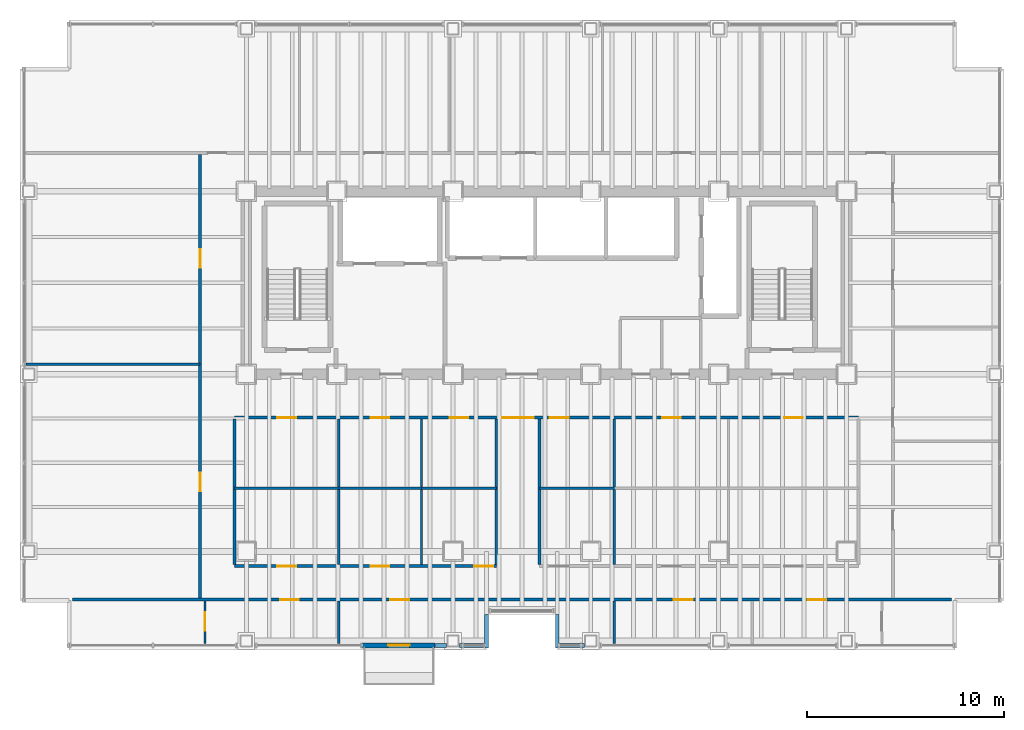
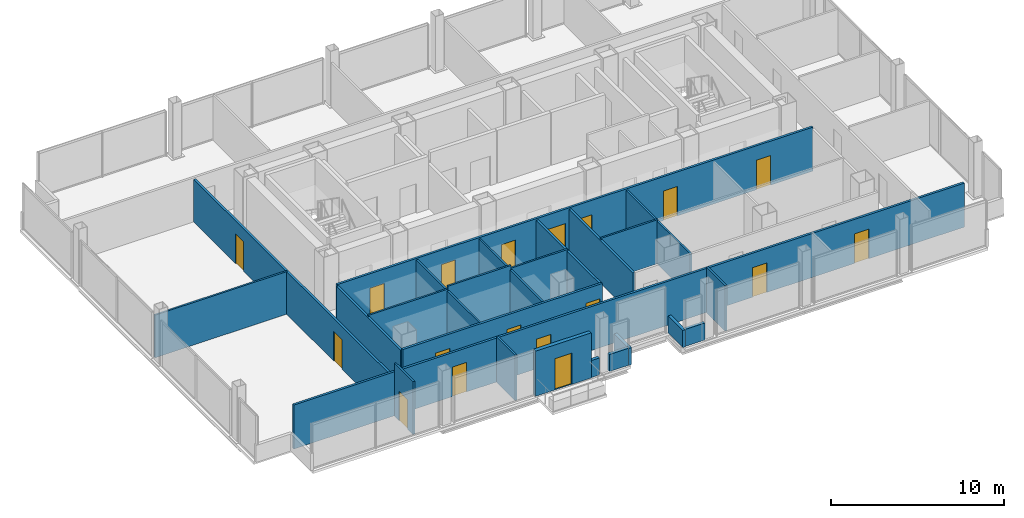
# One storey, part 18 of 21: 24 walls, 18 doors, 18 openings.
"""IFC4 building model written with IfcOpenShell, lengths in metres."""

from ifc_helpers import new_model, si_unit, direction, frame, frame_2d, origin, place, context, subcontext, project, spatial, rectangle, extrude, material, layer, layer_set, type_object, element, fill, save


model = new_model("IFC4")

# Units and contexts
model_context = context("Model", 3, precision=1e-05, world=origin(), true_north=direction((0.0, 1.0)))
body_context = subcontext(model_context, "Body", "Model", "MODEL_VIEW")
ifc_project = project(units=[si_unit("LENGTHUNIT", "METRE"), si_unit("AREAUNIT", "SQUARE_METRE"), si_unit("VOLUMEUNIT", "CUBIC_METRE"), si_unit("PLANEANGLEUNIT", "RADIAN"), si_unit("MASSUNIT", "GRAM", prefix="KILO")], contexts=[model_context])

# Site, building, storey
site_placement = place(None, origin())
site = spatial("IfcSite", under=ifc_project, at=site_placement, CompositionType="ELEMENT")
building_placement = place(site_placement, origin())
building = spatial("IfcBuilding", under=site, at=building_placement, Name="Noeulbin Bourse Tower", CompositionType="ELEMENT")
storey_placement = place(building_placement, frame((0.0, 0.0, 46.0)))
storey = spatial("IfcBuildingStorey", under=building, at=storey_placement, Name="L11", CompositionType="ELEMENT", Elevation=46.0)

# Wall, opening, door
ifc_material_1 = material(Name="Precast Concrete C40/50", Category="concrete")
ifc_layer_1 = layer(ifc_material_1, 0.25)
ifc_layer_set_1 = layer_set([ifc_layer_1], Name="Precast Concrete C40/50")
wall_type_1 = type_object("IfcWallType", Name="WAL-EXT-250", PredefinedType="STANDARD", material=ifc_layer_set_1)
wall_1_placement = place(storey_placement, frame((19.39990234375, 15.219970703125, 0.0), z_axis=(0.0, 0.0, 1.0), x_axis=(1.0, 0.0, 0.0)))
wall_1 = element("IfcWall", 1, at=wall_1_placement, inside=storey, type_object=wall_type_1, Name="Balcony Threshold Wall L11", PredefinedType="STANDARD", context=body_context, shape_type="SweptSolid", body=[
    extrude(rectangle(XDim=3.7001953125, YDim=0.25, at=frame_2d((1.85009765625, 0.0))), origin(), (0.0, 0.0, 1.0), 3.179931640625),
])
opening_1_placement = place(wall_1_placement, frame((1.300048828125, 0.0, 0.0)))
opening_1 = element("IfcOpeningElement", 2, at=opening_1_placement, cuts=wall_1, Name="Opening BD-11", PredefinedType="OPENING", context=body_context, shape_type="SweptSolid", body=[
    extrude(rectangle(XDim=1.10009765625, YDim=2.199951171875, at=frame_2d((0.550048828125, 1.10009765625))), frame((0.0, 0.135009765625, 0.0), z_axis=(0.0, -1.0, 0.0), x_axis=(1.0, 0.0, 0.0)), (0.0, 0.0, 1.0), 0.27001953125),
])
ifc_material_2 = material(Name="Thermally Broken Aluminium Framed Glass", Category="aluminium")
door_type_1 = type_object("IfcDoorType", Name="DR-BAL-1100", OperationType="SINGLE_SWING_LEFT", PredefinedType="DOOR", material=ifc_material_2)
door_1_placement = place(opening_1_placement, origin())
door_1 = element("IfcDoor", 3, at=door_1_placement, inside=storey, type_object=door_type_1, Name="Tree-Balcony Access Door BD-L11", OperationType="SINGLE_SWING_LEFT", OverallHeight=2.199951171875, OverallWidth=1.10009765625, PredefinedType="DOOR", context=body_context, shape_type="SweptSolid", body=[
    extrude(rectangle(XDim=1.10009765625, YDim=2.199951171875, at=frame_2d((0.550048828125, 1.10009765625))), frame((0.0, 0.02490234375, 0.0), z_axis=(0.0, -1.0, 0.0), x_axis=(1.0, 0.0, 0.0)), (0.0, 0.0, 1.0), 0.050048828125),
])
fill(opening_1, door_1)

# Walls
ifc_material_3 = material(Name="Concrete C40/50", Category="concrete")
ifc_layer_2 = layer(ifc_material_3, 0.199951171875)
ifc_layer_set_2 = layer_set([ifc_layer_2], Name="Concrete C40/50")
wall_type_2 = type_object("IfcWallType", Name="WAL-PAR-200", PredefinedType="PARAPET", material=ifc_layer_set_2)
wall_2_placement = place(storey_placement, frame((23.10009765625, 15.219970703125, 0.0), z_axis=(0.0, 0.0, 1.0), x_axis=(1.0, 0.0, 0.0)))
element("IfcWall", 4, at=wall_2_placement, inside=storey, type_object=wall_type_2, Name="Perimeter Pier Spandrel Parapet L11-S1", PredefinedType="PARAPET", context=body_context, shape_type="SweptSolid", body=[
    extrude(rectangle(XDim=0.579833984375, YDim=0.199951171875, at=frame_2d((0.2900390625, 0.0))), origin(), (0.0, 0.0, 1.0), 1.199951171875),
])
for number, where, z_axis, x_axis, name in (
    (5, (24.320068359375, 15.219970703125, 0.0), (0.0, 0.0, 1.0), (1.0, 0.0, 0.0), "Perimeter Pier Spandrel Parapet L11-S2"),
    (6, (29.35009765625, 15.219970703125, 0.0), (0.0, 0.0, 1.0), (1.0, 0.0, 0.0), "Perimeter Pier Spandrel Parapet L11-S3"),
):
    element("IfcWall", number, at=place(storey_placement, frame(where, z_axis=z_axis, x_axis=x_axis)), inside=storey, type_object=wall_type_2, Name=name, PredefinedType="PARAPET", context=body_context, shape_type="SweptSolid", body=[
        extrude(rectangle(XDim=1.329833984375, YDim=0.199951171875, at=frame_2d((0.6650390625, 0.0))), origin(), (0.0, 0.0, 1.0), 1.199951171875),
    ])
for number, where, z_axis, x_axis, name in (
    (7, (25.699951171875, 15.10009765625, 0.0), (0.0, 0.0, 1.0), (0.0, 1.0, 0.0), "Sky-Garden Recess Parapet L11-W"),
    (8, (29.300048828125, 16.800048828125, 0.0), (0.0, 0.0, 1.0), (0.0, -1.0, 0.0), "Sky-Garden Recess Parapet L11-E"),
):
    element("IfcWall", number, at=place(storey_placement, frame(where, z_axis=z_axis, x_axis=x_axis)), inside=storey, type_object=wall_type_2, Name=name, PredefinedType="PARAPET", context=body_context, shape_type="SweptSolid", body=[
        extrude(rectangle(XDim=1.699951171875, YDim=0.199951171875, at=frame_2d((0.85009765625, 0.0))), origin(), (0.0, 0.0, 1.0), 1.199951171875),
    ])
ifc_material_4 = material(Name="Steel Stud Gypsum Partition", Category="steel")
ifc_layer_3 = layer(ifc_material_4, 0.1201171875)
ifc_layer_set_3 = layer_set([ifc_layer_3], Name="Steel Stud Gypsum Partition")
wall_type_3 = type_object("IfcWallType", Name="WAL-PRT-120", PredefinedType="PARTITIONING", material=ifc_layer_set_3)
wall_3_placement = place(storey_placement, frame((12.89990234375, 23.199951171875, 0.0), z_axis=(0.0, 0.0, 1.0), x_axis=(1.0, 0.0, 0.0)))
element("IfcWall", 9, at=wall_3_placement, inside=storey, type_object=wall_type_3, Name="Interior Partition Wall L11-07", PredefinedType="PARTITIONING", context=body_context, shape_type="SweptSolid", body=[
    extrude(rectangle(XDim=5.300048828125, YDim=0.1201171875, at=frame_2d((2.64990234375, 0.0))), origin(), (0.0, 0.0, 1.0), 3.10009765625),
])
wall_4_placement = place(storey_placement, frame((18.199951171875, 23.199951171875, 0.0), z_axis=(0.0, 0.0, 1.0), x_axis=(1.0, 0.0, 0.0)))
element("IfcWall", 10, at=wall_4_placement, inside=storey, type_object=wall_type_3, Name="Interior Partition Wall L11-08", PredefinedType="PARTITIONING", context=body_context, shape_type="SweptSolid", body=[
    extrude(rectangle(XDim=4.199951171875, YDim=0.1201171875, at=frame_2d((2.10009765625, 0.0))), origin(), (0.0, 0.0, 1.0), 3.300048828125),
])
for number, where, z_axis, x_axis, name in (
    (11, (22.39990234375, 23.199951171875, 0.0), (0.0, 0.0, 1.0), (1.0, 0.0, 0.0), "Interior Partition Wall L11-09"),
    (12, (28.39990234375, 23.199951171875, 0.0), (0.0, 0.0, 1.0), (1.0, 0.0, 0.0), "Interior Partition Wall L11-10"),
):
    element("IfcWall", number, at=place(storey_placement, frame(where, z_axis=z_axis, x_axis=x_axis)), inside=storey, type_object=wall_type_3, Name=name, PredefinedType="PARTITIONING", context=body_context, shape_type="SweptSolid", body=[
        extrude(rectangle(XDim=3.800048828125, YDim=0.1201171875, at=frame_2d((1.89990234375, 0.0))), origin(), (0.0, 0.0, 1.0), 3.10009765625),
    ])
wall_5_placement = place(storey_placement, frame((2.31005859375, 29.5, 0.0), z_axis=(0.0, 0.0, 1.0), x_axis=(1.0, 0.0, 0.0)))
element("IfcWall", 13, at=wall_5_placement, inside=storey, type_object=wall_type_3, Name="Interior Partition Wall L11-13", PredefinedType="PARTITIONING", context=body_context, shape_type="SweptSolid", body=[
    extrude(rectangle(XDim=8.83984375, YDim=0.1201171875, at=frame_2d((4.419921875, 0.0))), origin(), (0.0, 0.0, 1.0), 3.0),
])

# Wall, opening, door
wall_6_placement = place(storey_placement, frame((11.39990234375, 15.31005859375, 0.0), z_axis=(0.0, 0.0, 1.0), x_axis=(0.0, 1.0, 0.0)))
wall_6 = element("IfcWall", 14, at=wall_6_placement, inside=storey, type_object=wall_type_3, Name="Interior Partition Wall L11-30", PredefinedType="PARTITIONING", context=body_context, shape_type="SweptSolid", body=[
    extrude(rectangle(XDim=2.155029296875, YDim=0.1201171875, at=frame_2d((1.07763671875, 0.0))), origin(), (0.0, 0.0, 1.0), 3.719970703125),
])
opening_2_placement = place(wall_6_placement, frame((0.64501953125, 0.0, 0.0)))
opening_2 = element("IfcOpeningElement", 15, at=opening_2_placement, cuts=wall_6, Name="Opening ID-09", PredefinedType="OPENING", context=body_context, shape_type="SweptSolid", body=[
    extrude(rectangle(XDim=0.949951171875, YDim=2.080078125, at=frame_2d((0.47509765625, 1.0400390625))), frame((0.0, 0.070068359375, 0.0), z_axis=(0.0, -1.0, 0.0), x_axis=(1.0, 0.0, 0.0)), (0.0, 0.0, 1.0), 0.14013671875),
])
ifc_material_5 = material(Name="Acoustic Solid-Core Timber", Category="wood")
door_type_2 = type_object("IfcDoorType", Name="DR-SINGLE-950", OperationType="SINGLE_SWING_LEFT", PredefinedType="DOOR", material=ifc_material_5)
door_2_placement = place(opening_2_placement, origin())
door_2 = element("IfcDoor", 16, at=door_2_placement, inside=storey, type_object=door_type_2, Name="Interior Door L11-08", OperationType="SINGLE_SWING_LEFT", OverallHeight=2.080078125, OverallWidth=0.949951171875, PredefinedType="DOOR", context=body_context, shape_type="SweptSolid", body=[
    extrude(rectangle(XDim=0.949951171875, YDim=2.080078125, at=frame_2d((0.47509765625, 1.0400390625))), frame((0.0, 0.02490234375, 0.0), z_axis=(0.0, -1.0, 0.0), x_axis=(1.0, 0.0, 0.0)), (0.0, 0.0, 1.0), 0.050048828125),
])
fill(opening_2, door_2)

# Walls
for number, where, z_axis, x_axis, name in (
    (17, (18.199951171875, 15.31005859375, 0.0), (0.0, 0.0, 1.0), (0.0, 1.0, 0.0), "Interior Partition Wall L11-31"),
    (18, (32.199951171875, 15.31005859375, 0.0), (0.0, 0.0, 1.0), (0.0, 1.0, 0.0), "Interior Partition Wall L11-32"),
):
    element("IfcWall", number, at=place(storey_placement, frame(where, z_axis=z_axis, x_axis=x_axis)), inside=storey, type_object=wall_type_3, Name=name, PredefinedType="PARTITIONING", context=body_context, shape_type="SweptSolid", body=[
        extrude(rectangle(XDim=2.155029296875, YDim=0.1201171875, at=frame_2d((1.07763671875, 0.0))), origin(), (0.0, 0.0, 1.0), 3.2119140625),
    ])
for number, where, z_axis, x_axis, name in (
    (19, (18.199951171875, 19.3349609375, 0.0), (0.0, 0.0, 1.0), (0.0, 1.0, 0.0), "Interior Partition Wall L11-35"),
    (20, (22.39990234375, 19.3349609375, 0.0), (0.0, 0.0, 1.0), (0.0, 1.0, 0.0), "Interior Partition Wall L11-36"),
    (21, (32.199951171875, 19.3349609375, 0.0), (0.0, 0.0, 1.0), (0.0, 1.0, 0.0), "Interior Partition Wall L11-37"),
):
    element("IfcWall", number, at=place(storey_placement, frame(where, z_axis=z_axis, x_axis=x_axis)), inside=storey, type_object=wall_type_3, Name=name, PredefinedType="PARTITIONING", context=body_context, shape_type="SweptSolid", body=[
        extrude(rectangle(XDim=7.380126953125, YDim=0.1201171875, at=frame_2d((3.68994140625, 0.0))), origin(), (0.0, 0.0, 1.0), 3.0),
    ])

# Wall, openings, doors
ifc_material_6 = material(Name="Steel Stud Acoustic Gypsum Board", Category="steel")
ifc_layer_4 = layer(ifc_material_6, 0.14990234375)
ifc_layer_set_4 = layer_set([ifc_layer_4], Name="Steel Stud Acoustic Gypsum Board")
wall_type_4 = type_object("IfcWallType", Name="WAL-PRT-150", PredefinedType="PARTITIONING", material=ifc_layer_set_4)
wall_7_placement = place(storey_placement, frame((12.89990234375, 26.800048828125, 0.0), z_axis=(0.0, 0.0, 1.0), x_axis=(1.0, 0.0, 0.0)))
wall_7 = element("IfcWall", 22, at=wall_7_placement, inside=storey, type_object=wall_type_4, Name="Interior Partition Wall L11-03", PredefinedType="PARTITIONING", context=body_context, shape_type="SweptSolid", body=[
    extrude(rectangle(XDim=31.7001953125, YDim=0.14990234375, at=frame_2d((15.85009765625, 0.0))), origin(), (0.0, 0.0, 1.0), 3.10009765625),
])
opening_3_placement = place(wall_7_placement, frame((13.60009765625, 0.0, 0.0)))
opening_3 = element("IfcOpeningElement", 23, at=opening_3_placement, cuts=wall_7, Name="Opening ID-16", PredefinedType="OPENING", context=body_context, shape_type="SweptSolid", body=[
    extrude(rectangle(XDim=1.60009765625, YDim=2.080078125, at=frame_2d((0.800048828125, 1.0400390625))), frame((0.0, 0.0849609375, 0.0), z_axis=(0.0, -1.0, 0.0), x_axis=(1.0, 0.0, 0.0)), (0.0, 0.0, 1.0), 0.169921875),
])
opening_4_placement = place(wall_7_placement, frame((2.175048828125, 0.0, 0.0)))
opening_4 = element("IfcOpeningElement", 24, at=opening_4_placement, cuts=wall_7, Name="Opening ID-09", PredefinedType="OPENING", context=body_context, shape_type="SweptSolid", body=[
    extrude(rectangle(XDim=0.949951171875, YDim=2.080078125, at=frame_2d((0.47509765625, 1.0400390625))), frame((0.0, 0.0849609375, 0.0), z_axis=(0.0, -1.0, 0.0), x_axis=(1.0, 0.0, 0.0)), (0.0, 0.0, 1.0), 0.169921875),
])
opening_5_placement = place(wall_7_placement, frame((6.925048828125, 0.0, 0.0)))
opening_5 = element("IfcOpeningElement", 25, at=opening_5_placement, cuts=wall_7, Name="Opening ID-09", PredefinedType="OPENING", context=body_context, shape_type="SweptSolid", body=[
    extrude(rectangle(XDim=0.949951171875, YDim=2.080078125, at=frame_2d((0.47509765625, 1.0400390625))), frame((0.0, 0.0849609375, 0.0), z_axis=(0.0, -1.0, 0.0), x_axis=(1.0, 0.0, 0.0)), (0.0, 0.0, 1.0), 0.169921875),
])
opening_6_placement = place(wall_7_placement, frame((10.925048828125, 0.0, 0.0)))
opening_6 = element("IfcOpeningElement", 26, at=opening_6_placement, cuts=wall_7, Name="Opening ID-09", PredefinedType="OPENING", context=body_context, shape_type="SweptSolid", body=[
    extrude(rectangle(XDim=0.949951171875, YDim=2.080078125, at=frame_2d((0.47509765625, 1.0400390625))), frame((0.0, 0.0849609375, 0.0), z_axis=(0.0, -1.0, 0.0), x_axis=(1.0, 0.0, 0.0)), (0.0, 0.0, 1.0), 0.169921875),
])
opening_7_placement = place(wall_7_placement, frame((16.02490234375, 0.0, 0.0)))
opening_7 = element("IfcOpeningElement", 27, at=opening_7_placement, cuts=wall_7, Name="Opening ID-09", PredefinedType="OPENING", context=body_context, shape_type="SweptSolid", body=[
    extrude(rectangle(XDim=0.949951171875, YDim=2.080078125, at=frame_2d((0.47509765625, 1.0400390625))), frame((0.0, 0.0849609375, 0.0), z_axis=(0.0, -1.0, 0.0), x_axis=(1.0, 0.0, 0.0)), (0.0, 0.0, 1.0), 0.169921875),
])
opening_8_placement = place(wall_7_placement, frame((21.72509765625, 0.0, 0.0)))
opening_8 = element("IfcOpeningElement", 28, at=opening_8_placement, cuts=wall_7, Name="Opening ID-09", PredefinedType="OPENING", context=body_context, shape_type="SweptSolid", body=[
    extrude(rectangle(XDim=0.949951171875, YDim=2.080078125, at=frame_2d((0.47509765625, 1.0400390625))), frame((0.0, 0.0849609375, 0.0), z_axis=(0.0, -1.0, 0.0), x_axis=(1.0, 0.0, 0.0)), (0.0, 0.0, 1.0), 0.169921875),
])
opening_9_placement = place(wall_7_placement, frame((27.925048828125, 0.0, 0.0)))
opening_9 = element("IfcOpeningElement", 29, at=opening_9_placement, cuts=wall_7, Name="Opening ID-09", PredefinedType="OPENING", context=body_context, shape_type="SweptSolid", body=[
    extrude(rectangle(XDim=0.949951171875, YDim=2.080078125, at=frame_2d((0.47509765625, 1.0400390625))), frame((0.0, 0.0849609375, 0.0), z_axis=(0.0, -1.0, 0.0), x_axis=(1.0, 0.0, 0.0)), (0.0, 0.0, 1.0), 0.169921875),
])
ifc_material_7 = material(Name="Acoustic Glazed Aluminium", Category="aluminium")
door_type_3 = type_object("IfcDoorType", Name="DR-DBL-1600", OperationType="DOUBLE_DOOR_SINGLE_SWING", PredefinedType="DOOR", material=ifc_material_7)
door_3_placement = place(opening_3_placement, origin())
door_3 = element("IfcDoor", 30, at=door_3_placement, inside=storey, type_object=door_type_3, Name="Interior Door L11-07", OperationType="DOUBLE_DOOR_SINGLE_SWING", OverallHeight=2.080078125, OverallWidth=1.60009765625, PredefinedType="DOOR", context=body_context, shape_type="SweptSolid", body=[
    extrude(rectangle(XDim=1.60009765625, YDim=2.080078125, at=frame_2d((0.800048828125, 1.0400390625))), frame((0.0, 0.02490234375, 0.0), z_axis=(0.0, -1.0, 0.0), x_axis=(1.0, 0.0, 0.0)), (0.0, 0.0, 1.0), 0.050048828125),
])
fill(opening_3, door_3)
door_4_placement = place(opening_4_placement, origin())
door_4 = element("IfcDoor", 31, at=door_4_placement, inside=storey, type_object=door_type_2, Name="Interior Door L11-14", OperationType="SINGLE_SWING_LEFT", OverallHeight=2.080078125, OverallWidth=0.949951171875, PredefinedType="DOOR", context=body_context, shape_type="SweptSolid", body=[
    extrude(rectangle(XDim=0.949951171875, YDim=2.080078125, at=frame_2d((0.47509765625, 1.0400390625))), frame((0.0, 0.02490234375, 0.0), z_axis=(0.0, -1.0, 0.0), x_axis=(1.0, 0.0, 0.0)), (0.0, 0.0, 1.0), 0.050048828125),
])
fill(opening_4, door_4)
door_5_placement = place(opening_5_placement, origin())
door_5 = element("IfcDoor", 32, at=door_5_placement, inside=storey, type_object=door_type_2, Name="Interior Door L11-16", OperationType="SINGLE_SWING_LEFT", OverallHeight=2.080078125, OverallWidth=0.949951171875, PredefinedType="DOOR", context=body_context, shape_type="SweptSolid", body=[
    extrude(rectangle(XDim=0.949951171875, YDim=2.080078125, at=frame_2d((0.47509765625, 1.0400390625))), frame((0.0, 0.02490234375, 0.0), z_axis=(0.0, -1.0, 0.0), x_axis=(1.0, 0.0, 0.0)), (0.0, 0.0, 1.0), 0.050048828125),
])
fill(opening_5, door_5)
door_6_placement = place(opening_6_placement, origin())
door_6 = element("IfcDoor", 33, at=door_6_placement, inside=storey, type_object=door_type_2, Name="Interior Door L11-18", OperationType="SINGLE_SWING_LEFT", OverallHeight=2.080078125, OverallWidth=0.949951171875, PredefinedType="DOOR", context=body_context, shape_type="SweptSolid", body=[
    extrude(rectangle(XDim=0.949951171875, YDim=2.080078125, at=frame_2d((0.47509765625, 1.0400390625))), frame((0.0, 0.02490234375, 0.0), z_axis=(0.0, -1.0, 0.0), x_axis=(1.0, 0.0, 0.0)), (0.0, 0.0, 1.0), 0.050048828125),
])
fill(opening_6, door_6)
door_7_placement = place(opening_7_placement, origin())
door_7 = element("IfcDoor", 34, at=door_7_placement, inside=storey, type_object=door_type_2, Name="Interior Door L11-20", OperationType="SINGLE_SWING_LEFT", OverallHeight=2.080078125, OverallWidth=0.949951171875, PredefinedType="DOOR", context=body_context, shape_type="SweptSolid", body=[
    extrude(rectangle(XDim=0.949951171875, YDim=2.080078125, at=frame_2d((0.47509765625, 1.0400390625))), frame((0.0, 0.02490234375, 0.0), z_axis=(0.0, -1.0, 0.0), x_axis=(1.0, 0.0, 0.0)), (0.0, 0.0, 1.0), 0.050048828125),
])
fill(opening_7, door_7)
door_8_placement = place(opening_8_placement, origin())
door_8 = element("IfcDoor", 35, at=door_8_placement, inside=storey, type_object=door_type_2, Name="Interior Door L11-22", OperationType="SINGLE_SWING_LEFT", OverallHeight=2.080078125, OverallWidth=0.949951171875, PredefinedType="DOOR", context=body_context, shape_type="SweptSolid", body=[
    extrude(rectangle(XDim=0.949951171875, YDim=2.080078125, at=frame_2d((0.47509765625, 1.0400390625))), frame((0.0, 0.02490234375, 0.0), z_axis=(0.0, -1.0, 0.0), x_axis=(1.0, 0.0, 0.0)), (0.0, 0.0, 1.0), 0.050048828125),
])
fill(opening_8, door_8)
door_9_placement = place(opening_9_placement, origin())
door_9 = element("IfcDoor", 36, at=door_9_placement, inside=storey, type_object=door_type_2, Name="Interior Door L11-24", OperationType="SINGLE_SWING_LEFT", OverallHeight=2.080078125, OverallWidth=0.949951171875, PredefinedType="DOOR", context=body_context, shape_type="SweptSolid", body=[
    extrude(rectangle(XDim=0.949951171875, YDim=2.080078125, at=frame_2d((0.47509765625, 1.0400390625))), frame((0.0, 0.02490234375, 0.0), z_axis=(0.0, -1.0, 0.0), x_axis=(1.0, 0.0, 0.0)), (0.0, 0.0, 1.0), 0.050048828125),
])
fill(opening_9, door_9)

wall_8_placement = place(storey_placement, frame((4.659912109375, 17.550048828125, 0.0), z_axis=(0.0, 0.0, 1.0), x_axis=(1.0, 0.0, 0.0)))
wall_8 = element("IfcWall", 37, at=wall_8_placement, inside=storey, type_object=wall_type_4, Name="Interior Partition Wall L11-04", PredefinedType="PARTITIONING", context=body_context, shape_type="SweptSolid", body=[
    extrude(rectangle(XDim=44.68017578125, YDim=0.14990234375, at=frame_2d((22.340087890625, 0.0))), origin(), (0.0, 0.0, 1.0), 3.10009765625),
])
opening_10_placement = place(wall_8_placement, frame((10.56494140625, 0.0, 0.0)))
opening_10 = element("IfcOpeningElement", 38, at=opening_10_placement, cuts=wall_8, Name="Opening ID-09", PredefinedType="OPENING", context=body_context, shape_type="SweptSolid", body=[
    extrude(rectangle(XDim=0.949951171875, YDim=2.080078125, at=frame_2d((0.47509765625, 1.0400390625))), frame((0.0, 0.0849609375, 0.0), z_axis=(0.0, -1.0, 0.0), x_axis=(1.0, 0.0, 0.0)), (0.0, 0.0, 1.0), 0.169921875),
])
opening_11_placement = place(wall_8_placement, frame((16.1650390625, 0.0, 0.0)))
opening_11 = element("IfcOpeningElement", 39, at=opening_11_placement, cuts=wall_8, Name="Opening ID-09", PredefinedType="OPENING", context=body_context, shape_type="SweptSolid", body=[
    extrude(rectangle(XDim=0.949951171875, YDim=2.080078125, at=frame_2d((0.47509765625, 1.0400390625))), frame((0.0, 0.0849609375, 0.0), z_axis=(0.0, -1.0, 0.0), x_axis=(1.0, 0.0, 0.0)), (0.0, 0.0, 1.0), 0.169921875),
])
opening_12_placement = place(wall_8_placement, frame((30.56494140625, 0.0, 0.0)))
opening_12 = element("IfcOpeningElement", 40, at=opening_12_placement, cuts=wall_8, Name="Opening ID-09", PredefinedType="OPENING", context=body_context, shape_type="SweptSolid", body=[
    extrude(rectangle(XDim=0.949951171875, YDim=2.080078125, at=frame_2d((0.47509765625, 1.0400390625))), frame((0.0, 0.0849609375, 0.0), z_axis=(0.0, -1.0, 0.0), x_axis=(1.0, 0.0, 0.0)), (0.0, 0.0, 1.0), 0.169921875),
])
opening_13_placement = place(wall_8_placement, frame((37.364990234375, 0.0, 0.0)))
opening_13 = element("IfcOpeningElement", 41, at=opening_13_placement, cuts=wall_8, Name="Opening ID-09", PredefinedType="OPENING", context=body_context, shape_type="SweptSolid", body=[
    extrude(rectangle(XDim=0.949951171875, YDim=2.080078125, at=frame_2d((0.47509765625, 1.0400390625))), frame((0.0, 0.0849609375, 0.0), z_axis=(0.0, -1.0, 0.0), x_axis=(1.0, 0.0, 0.0)), (0.0, 0.0, 1.0), 0.169921875),
])
door_10_placement = place(opening_10_placement, origin())
door_10 = element("IfcDoor", 42, at=door_10_placement, inside=storey, type_object=door_type_2, Name="Interior Door L11-09", OperationType="SINGLE_SWING_RIGHT", OverallHeight=2.080078125, OverallWidth=0.949951171875, PredefinedType="DOOR", context=body_context, shape_type="SweptSolid", body=[
    extrude(rectangle(XDim=0.949951171875, YDim=2.080078125, at=frame_2d((0.47509765625, 1.0400390625))), frame((0.0, 0.02490234375, 0.0), z_axis=(0.0, -1.0, 0.0), x_axis=(1.0, 0.0, 0.0)), (0.0, 0.0, 1.0), 0.050048828125),
])
fill(opening_10, door_10)
door_11_placement = place(opening_11_placement, origin())
door_11 = element("IfcDoor", 43, at=door_11_placement, inside=storey, type_object=door_type_2, Name="Interior Door L11-10", OperationType="SINGLE_SWING_LEFT", OverallHeight=2.080078125, OverallWidth=0.949951171875, PredefinedType="DOOR", context=body_context, shape_type="SweptSolid", body=[
    extrude(rectangle(XDim=0.949951171875, YDim=2.080078125, at=frame_2d((0.47509765625, 1.0400390625))), frame((0.0, 0.02490234375, 0.0), z_axis=(0.0, -1.0, 0.0), x_axis=(1.0, 0.0, 0.0)), (0.0, 0.0, 1.0), 0.050048828125),
])
fill(opening_11, door_11)
door_12_placement = place(opening_12_placement, origin())
door_12 = element("IfcDoor", 44, at=door_12_placement, inside=storey, type_object=door_type_2, Name="Interior Door L11-11", OperationType="SINGLE_SWING_RIGHT", OverallHeight=2.080078125, OverallWidth=0.949951171875, PredefinedType="DOOR", context=body_context, shape_type="SweptSolid", body=[
    extrude(rectangle(XDim=0.949951171875, YDim=2.080078125, at=frame_2d((0.47509765625, 1.0400390625))), frame((0.0, 0.02490234375, 0.0), z_axis=(0.0, -1.0, 0.0), x_axis=(1.0, 0.0, 0.0)), (0.0, 0.0, 1.0), 0.050048828125),
])
fill(opening_12, door_12)
door_13_placement = place(opening_13_placement, origin())
door_13 = element("IfcDoor", 45, at=door_13_placement, inside=storey, type_object=door_type_2, Name="Interior Door L11-12", OperationType="SINGLE_SWING_LEFT", OverallHeight=2.080078125, OverallWidth=0.949951171875, PredefinedType="DOOR", context=body_context, shape_type="SweptSolid", body=[
    extrude(rectangle(XDim=0.949951171875, YDim=2.080078125, at=frame_2d((0.47509765625, 1.0400390625))), frame((0.0, 0.02490234375, 0.0), z_axis=(0.0, -1.0, 0.0), x_axis=(1.0, 0.0, 0.0)), (0.0, 0.0, 1.0), 0.050048828125),
])
fill(opening_13, door_13)

wall_9_placement = place(storey_placement, frame((12.89990234375, 19.25, 0.0), z_axis=(0.0, 0.0, 1.0), x_axis=(1.0, 0.0, 0.0)))
wall_9 = element("IfcWall", 46, at=wall_9_placement, inside=storey, type_object=wall_type_4, Name="Interior Partition Wall L11-05", PredefinedType="PARTITIONING", context=body_context, shape_type="SweptSolid", body=[
    extrude(rectangle(XDim=13.300048828125, YDim=0.14990234375, at=frame_2d((6.64990234375, 0.0))), origin(), (0.0, 0.0, 1.0), 3.10009765625),
])
opening_14_placement = place(wall_9_placement, frame((2.175048828125, 0.0, 0.0)))
opening_14 = element("IfcOpeningElement", 47, at=opening_14_placement, cuts=wall_9, Name="Opening ID-09", PredefinedType="OPENING", context=body_context, shape_type="SweptSolid", body=[
    extrude(rectangle(XDim=0.949951171875, YDim=2.080078125, at=frame_2d((0.47509765625, 1.0400390625))), frame((0.0, 0.0849609375, 0.0), z_axis=(0.0, -1.0, 0.0), x_axis=(1.0, 0.0, 0.0)), (0.0, 0.0, 1.0), 0.169921875),
])
opening_15_placement = place(wall_9_placement, frame((6.925048828125, 0.0, 0.0)))
opening_15 = element("IfcOpeningElement", 48, at=opening_15_placement, cuts=wall_9, Name="Opening ID-09", PredefinedType="OPENING", context=body_context, shape_type="SweptSolid", body=[
    extrude(rectangle(XDim=0.949951171875, YDim=2.080078125, at=frame_2d((0.47509765625, 1.0400390625))), frame((0.0, 0.0849609375, 0.0), z_axis=(0.0, -1.0, 0.0), x_axis=(1.0, 0.0, 0.0)), (0.0, 0.0, 1.0), 0.169921875),
])
opening_16_placement = place(wall_9_placement, frame((12.18994140625, 0.0, 0.0)))
opening_16 = element("IfcOpeningElement", 49, at=opening_16_placement, cuts=wall_9, Name="Opening ID-09", PredefinedType="OPENING", context=body_context, shape_type="SweptSolid", body=[
    extrude(rectangle(XDim=0.949951171875, YDim=2.080078125, at=frame_2d((0.47509765625, 1.0400390625))), frame((0.0, 0.0849609375, 0.0), z_axis=(0.0, -1.0, 0.0), x_axis=(1.0, 0.0, 0.0)), (0.0, 0.0, 1.0), 0.169921875),
])
door_14_placement = place(opening_14_placement, origin())
door_14 = element("IfcDoor", 50, at=door_14_placement, inside=storey, type_object=door_type_2, Name="Interior Door L11-15", OperationType="SINGLE_SWING_RIGHT", OverallHeight=2.080078125, OverallWidth=0.949951171875, PredefinedType="DOOR", context=body_context, shape_type="SweptSolid", body=[
    extrude(rectangle(XDim=0.949951171875, YDim=2.080078125, at=frame_2d((0.47509765625, 1.0400390625))), frame((0.0, 0.02490234375, 0.0), z_axis=(0.0, -1.0, 0.0), x_axis=(1.0, 0.0, 0.0)), (0.0, 0.0, 1.0), 0.050048828125),
])
fill(opening_14, door_14)
door_15_placement = place(opening_15_placement, origin())
door_15 = element("IfcDoor", 51, at=door_15_placement, inside=storey, type_object=door_type_2, Name="Interior Door L11-17", OperationType="SINGLE_SWING_RIGHT", OverallHeight=2.080078125, OverallWidth=0.949951171875, PredefinedType="DOOR", context=body_context, shape_type="SweptSolid", body=[
    extrude(rectangle(XDim=0.949951171875, YDim=2.080078125, at=frame_2d((0.47509765625, 1.0400390625))), frame((0.0, 0.02490234375, 0.0), z_axis=(0.0, -1.0, 0.0), x_axis=(1.0, 0.0, 0.0)), (0.0, 0.0, 1.0), 0.050048828125),
])
fill(opening_15, door_15)
door_16_placement = place(opening_16_placement, origin())
door_16 = element("IfcDoor", 52, at=door_16_placement, inside=storey, type_object=door_type_2, Name="Interior Door L11-19", OperationType="SINGLE_SWING_RIGHT", OverallHeight=2.080078125, OverallWidth=0.949951171875, PredefinedType="DOOR", context=body_context, shape_type="SweptSolid", body=[
    extrude(rectangle(XDim=0.949951171875, YDim=2.080078125, at=frame_2d((0.47509765625, 1.0400390625))), frame((0.0, 0.02490234375, 0.0), z_axis=(0.0, -1.0, 0.0), x_axis=(1.0, 0.0, 0.0)), (0.0, 0.0, 1.0), 0.050048828125),
])
fill(opening_16, door_16)

# Walls
for number, where, z_axis, x_axis, name in (
    (53, (26.199951171875, 19.3349609375, 0.0), (0.0, 0.0, 1.0), (0.0, 1.0, 0.0), "Interior Partition Wall L11-24"),
    (54, (28.39990234375, 19.3349609375, 0.0), (0.0, 0.0, 1.0), (0.0, 1.0, 0.0), "Interior Partition Wall L11-25"),
):
    element("IfcWall", number, at=place(storey_placement, frame(where, z_axis=z_axis, x_axis=x_axis)), inside=storey, type_object=wall_type_4, Name=name, PredefinedType="PARTITIONING", context=body_context, shape_type="SweptSolid", body=[
        extrude(rectangle(XDim=7.380126953125, YDim=0.14990234375, at=frame_2d((3.68994140625, 0.0))), origin(), (0.0, 0.0, 1.0), 3.0),
    ])

# Wall, openings, doors
wall_10_placement = place(storey_placement, frame((11.14990234375, 17.635009765625, 0.0), z_axis=(0.0, 0.0, 1.0), x_axis=(0.0, 1.0, 0.0)))
wall_10 = element("IfcWall", 55, at=wall_10_placement, inside=storey, type_object=wall_type_4, Name="Interior Partition Wall L11-26", PredefinedType="PARTITIONING", context=body_context, shape_type="SweptSolid", body=[
    extrude(rectangle(XDim=22.530029296875, YDim=0.14990234375, at=frame_2d((11.26513671875, 0.0))), origin(), (0.0, 0.0, 1.0), 3.0),
])
opening_17_placement = place(wall_10_placement, frame((5.4150390625, 0.0, 0.0)))
opening_17 = element("IfcOpeningElement", 56, at=opening_17_placement, cuts=wall_10, Name="Opening ID-09", PredefinedType="OPENING", context=body_context, shape_type="SweptSolid", body=[
    extrude(rectangle(XDim=0.949951171875, YDim=2.080078125, at=frame_2d((0.47509765625, 1.0400390625))), frame((0.0, 0.0849609375, 0.0), z_axis=(0.0, -1.0, 0.0), x_axis=(1.0, 0.0, 0.0)), (0.0, 0.0, 1.0), 0.169921875),
])
opening_18_placement = place(wall_10_placement, frame((16.764892578125, 0.0, 0.0)))
opening_18 = element("IfcOpeningElement", 57, at=opening_18_placement, cuts=wall_10, Name="Opening ID-09", PredefinedType="OPENING", context=body_context, shape_type="SweptSolid", body=[
    extrude(rectangle(XDim=0.949951171875, YDim=2.080078125, at=frame_2d((0.47509765625, 1.0400390625))), frame((0.0, 0.0849609375, 0.0), z_axis=(0.0, -1.0, 0.0), x_axis=(1.0, 0.0, 0.0)), (0.0, 0.0, 1.0), 0.169921875),
])
door_17_placement = place(opening_17_placement, origin())
door_17 = element("IfcDoor", 58, at=door_17_placement, inside=storey, type_object=door_type_2, Name="Interior Door L11-26", OperationType="SINGLE_SWING_LEFT", OverallHeight=2.080078125, OverallWidth=0.949951171875, PredefinedType="DOOR", context=body_context, shape_type="SweptSolid", body=[
    extrude(rectangle(XDim=0.949951171875, YDim=2.080078125, at=frame_2d((0.47509765625, 1.0400390625))), frame((0.0, 0.02490234375, 0.0), z_axis=(0.0, -1.0, 0.0), x_axis=(1.0, 0.0, 0.0)), (0.0, 0.0, 1.0), 0.050048828125),
])
fill(opening_17, door_17)
door_18_placement = place(opening_18_placement, origin())
door_18 = element("IfcDoor", 59, at=door_18_placement, inside=storey, type_object=door_type_2, Name="Interior Door L11-27", OperationType="SINGLE_SWING_RIGHT", OverallHeight=2.080078125, OverallWidth=0.949951171875, PredefinedType="DOOR", context=body_context, shape_type="SweptSolid", body=[
    extrude(rectangle(XDim=0.949951171875, YDim=2.080078125, at=frame_2d((0.47509765625, 1.0400390625))), frame((0.0, 0.02490234375, 0.0), z_axis=(0.0, -1.0, 0.0), x_axis=(1.0, 0.0, 0.0)), (0.0, 0.0, 1.0), 0.050048828125),
])
fill(opening_18, door_18)

# Wall
wall_11_placement = place(storey_placement, frame((12.89990234375, 19.3349609375, 0.0), z_axis=(0.0, 0.0, 1.0), x_axis=(0.0, 1.0, 0.0)))
element("IfcWall", 60, at=wall_11_placement, inside=storey, type_object=wall_type_4, Name="Interior Partition Wall L11-27", PredefinedType="PARTITIONING", context=body_context, shape_type="SweptSolid", body=[
    extrude(rectangle(XDim=7.380126953125, YDim=0.14990234375, at=frame_2d((3.68994140625, 0.0))), origin(), (0.0, 0.0, 1.0), 3.0),
])

save(model, "model.ifc")
